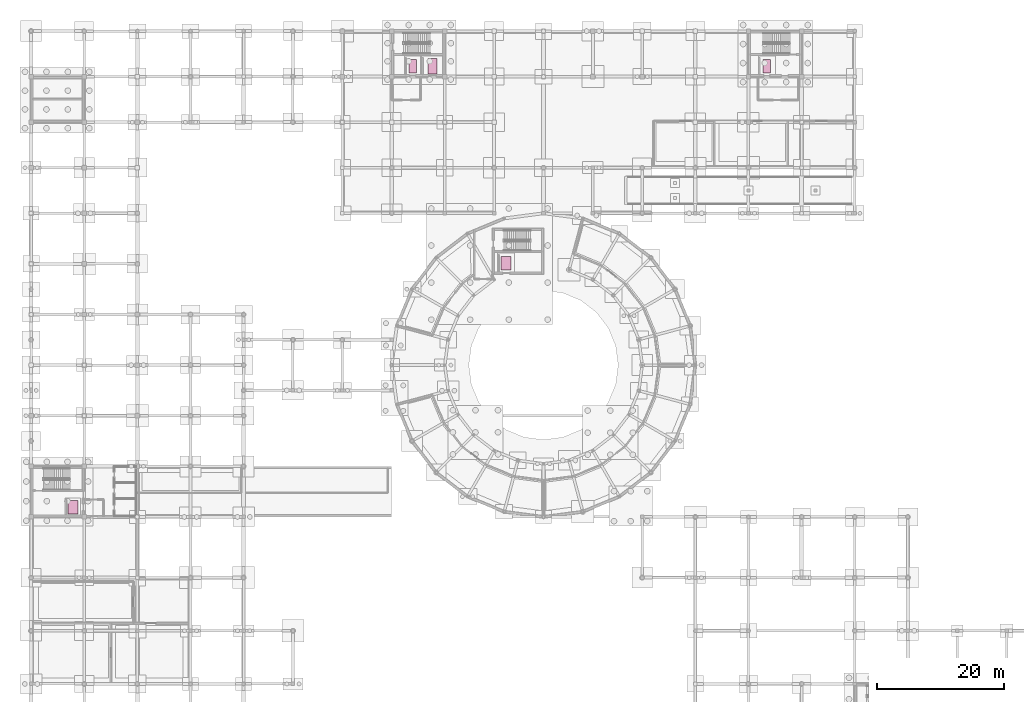
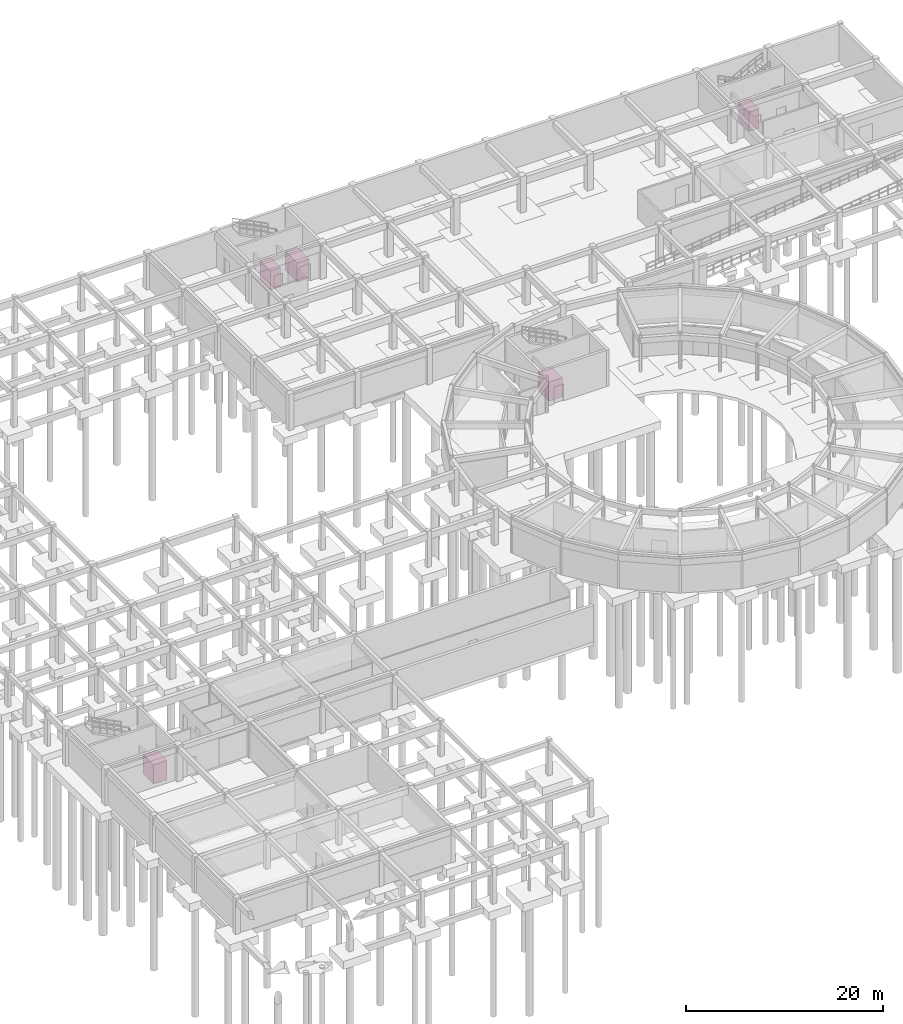
# One storey, part 43 of 43: 5 transport elements.
"""IFC4 building model written with IfcOpenShell, lengths in metres."""

from ifc_helpers import new_model, si_unit, derived_unit, direction, frame, origin, origin_2d, place, context, subcontext, project, spatial, rectangle, extrude, material, type_object, element, save


model = new_model("IFC4")

# Units and contexts
model_context = context("Model", 3, precision=1e-05, world=origin(), true_north=direction((0.0, 1.0)))
body_context = subcontext(model_context, "Body", "Model", "MODEL_VIEW")
ifc_project = project(units=[si_unit("LENGTHUNIT", "METRE"), si_unit("AREAUNIT", "SQUARE_METRE"), si_unit("VOLUMEUNIT", "CUBIC_METRE"), si_unit("PLANEANGLEUNIT", "RADIAN"), si_unit("MASSUNIT", "GRAM", prefix="KILO"), derived_unit("THERMALTRANSMITTANCEUNIT", [(si_unit("POWERUNIT", "WATT"), 1), (si_unit("AREAUNIT", "SQUARE_METRE"), -1), (si_unit("THERMODYNAMICTEMPERATUREUNIT", "KELVIN"), -1)])], contexts=[model_context])

# Site, building, storey
site_placement = place(None, origin())
site = spatial("IfcSite", under=ifc_project, at=site_placement, CompositionType="ELEMENT")
building_placement = place(site_placement, origin())
building = spatial("IfcBuilding", under=site, at=building_placement, Name="Yasenodar Specialist Clinic", CompositionType="ELEMENT")
storey_placement = place(building_placement, frame((0.0, 0.0, -4.5)))
storey = spatial("IfcBuildingStorey", under=building, at=storey_placement, Name="B1", CompositionType="ELEMENT", Elevation=-4.5)

# Transport elements
ifc_material_1 = material(Name="Stainless Steel Hospital Bed Lift Car", Category="steel")
transport_element_type_1 = type_object("IfcTransportElementType", Name="LFT-BED-1600", PredefinedType="ELEVATOR", material=ifc_material_1)
transport_element_placement = place(storey_placement, frame((63.449951171875, 106.050048828125, 0.0), z_axis=(0.0, 0.0, 1.0), x_axis=(1.0, 0.0, 0.0)))
element("IfcTransportElement", 1, at=transport_element_placement, inside=storey, type_object=transport_element_type_1, Name="Lift LF-04 Car", PredefinedType="ELEVATOR", context=body_context, shape_type="SweptSolid", body=[
    extrude(rectangle(XDim=1.39990234375, YDim=2.39990234375, at=origin_2d()), origin(), (0.0, 0.0, 1.0), 2.39990234375),
])
ifc_material_2 = material(Name="Stainless Steel Firefighters Lift Car", Category="steel")
transport_element_type_2 = type_object("IfcTransportElementType", Name="LFT-FF-1000", PredefinedType="ELEVATOR", material=ifc_material_2)
for number, where, z_axis, x_axis, name in (
    (2, (60.300048828125, 106.050048828125, 0.0), (0.0, 0.0, 1.0), (1.0, 0.0, 0.0), "Lift LF-02 Car"),
    (3, (116.300048828125, 106.050048828125, 0.0), (0.0, 0.0, 1.0), (1.0, 0.0, 0.0), "Lift LF-08 Car"),
):
    element("IfcTransportElement", number, at=place(storey_placement, frame(where, z_axis=z_axis, x_axis=x_axis)), inside=storey, type_object=transport_element_type_2, Name=name, PredefinedType="ELEVATOR", context=body_context, shape_type="SweptSolid", body=[
        extrude(rectangle(XDim=1.199951171875, YDim=2.10009765625, at=origin_2d()), origin(), (0.0, 0.0, 1.0), 2.39990234375),
    ])
ifc_material_3 = material(Name="Stainless Steel Accessible Passenger Lift Car", Category="steel")
transport_element_type_3 = type_object("IfcTransportElementType", Name="LFT-PAX-1050", PredefinedType="ELEVATOR", material=ifc_material_3)
for number, where, z_axis, x_axis, name in (
    (4, (6.60009765625, 36.35009765625, 0.0), (0.0, 0.0, 1.0), (1.0, 0.0, 0.0), "Lift LF-01 Car"),
    (5, (75.10009765625, 74.89990234375, 0.0), (0.0, 0.0, 1.0), (1.0, 0.0, 0.0), "Lift LF-06 Car"),
):
    element("IfcTransportElement", number, at=place(storey_placement, frame(where, z_axis=z_axis, x_axis=x_axis)), inside=storey, type_object=transport_element_type_3, Name=name, PredefinedType="ELEVATOR", context=body_context, shape_type="SweptSolid", body=[
        extrude(rectangle(XDim=1.60009765625, YDim=2.10009765625, at=origin_2d()), origin(), (0.0, 0.0, 1.0), 2.39990234375),
    ])

save(model, "model.ifc")
